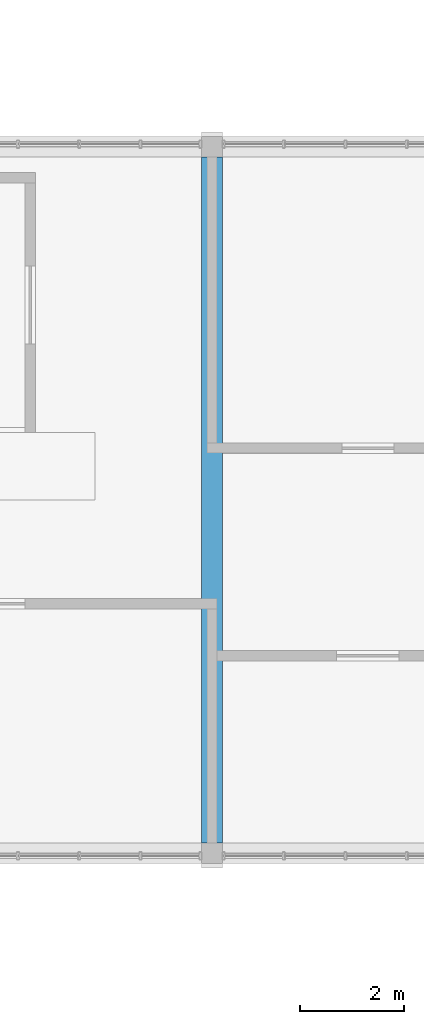
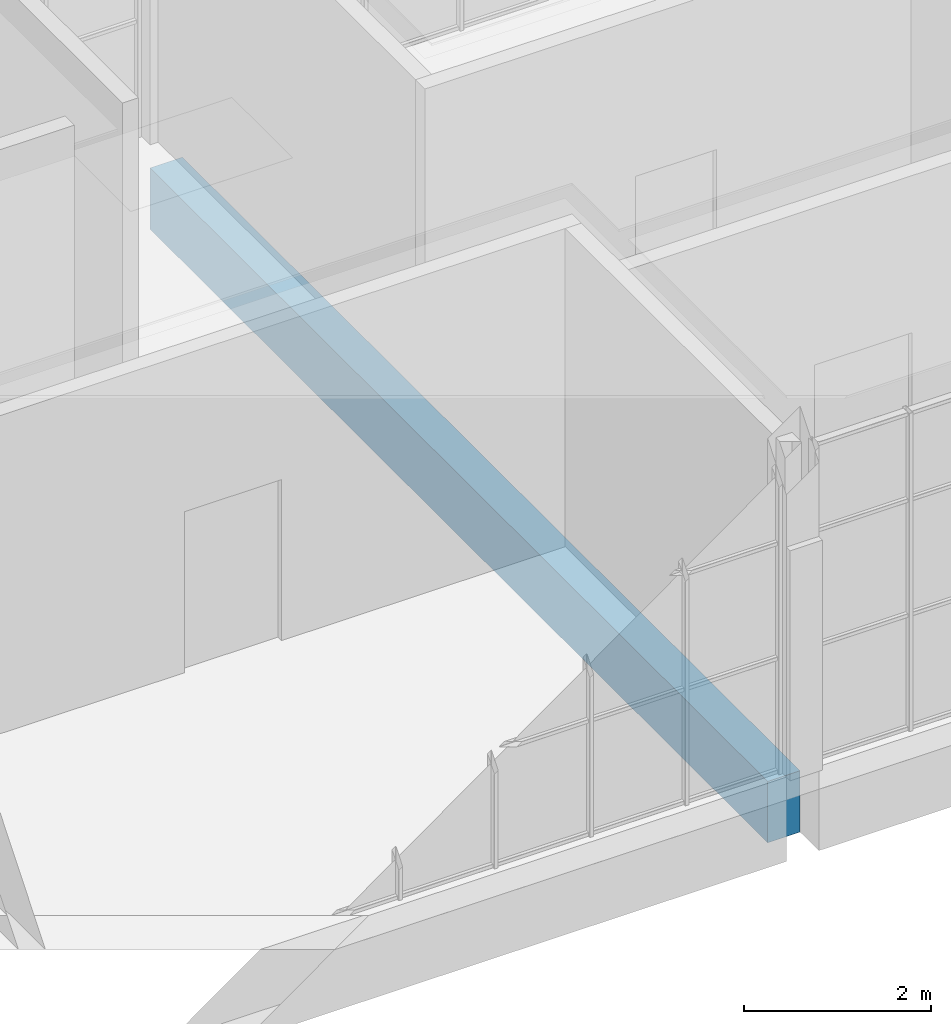
# One storey, part 23 of 125: 1 beam.
"""IFC4 building model written with IfcOpenShell, lengths in metres."""

from ifc_helpers import new_model, si_unit, direction, frame, origin, origin_2d, place, context, subcontext, project, spatial, rectangle, extrude, material, material_profile, profile_set, type_object, element, save


model = new_model("IFC4")

# Units and contexts
model_context = context("Model", 3, precision=1e-05, world=origin(), true_north=direction((0.0, 1.0)))
body_context = subcontext(model_context, "Body", "Model", "MODEL_VIEW")
ifc_project = project(units=[si_unit("LENGTHUNIT", "METRE"), si_unit("AREAUNIT", "SQUARE_METRE"), si_unit("VOLUMEUNIT", "CUBIC_METRE"), si_unit("PLANEANGLEUNIT", "RADIAN"), si_unit("MASSUNIT", "GRAM", prefix="KILO")], contexts=[model_context])

# Site, building, storey
site_placement = place(None, origin())
site = spatial("IfcSite", under=ifc_project, at=site_placement, CompositionType="ELEMENT")
building_placement = place(site_placement, origin())
building = spatial("IfcBuilding", under=site, at=building_placement, Name="Sun Court Science Centre", CompositionType="ELEMENT")
storey_placement = place(building_placement, frame((0.0, 0.0, 6.0)))
storey = spatial("IfcBuildingStorey", under=building, at=storey_placement, Name="L01", CompositionType="ELEMENT", Elevation=6.0)

# Beam
ifc_material = material(Name="Concrete C25/30", Category="concrete")
ifc_material_profile = material_profile(ifc_material, rectangle(XDim=0.39990234375, YDim=0.800048828125, at=origin_2d()), Name="RC 400x800")
ifc_profile_set = profile_set([ifc_material_profile], Name="Concrete C25/30")
beam_type = type_object("IfcBeamType", Name="RC girder 400x800", PredefinedType="BEAM", material=ifc_profile_set)
beam_placement = place(storey_placement, frame((51.0, 36.39990234375, -0.699951171875), z_axis=(0.0, 1.0, 0.0), x_axis=(-1.0, 0.0, 0.0)))
element("IfcBeam", 1, at=beam_placement, inside=storey, type_object=beam_type, Name="Girder L01 line 1", PredefinedType="BEAM", context=body_context, shape_type="SweptSolid", body=[
    extrude(rectangle(XDim=0.39990234375, YDim=0.800048828125, at=origin_2d()), origin(), (0.0, 0.0, 1.0), 13.2001953125),
])

save(model, "model.ifc")
